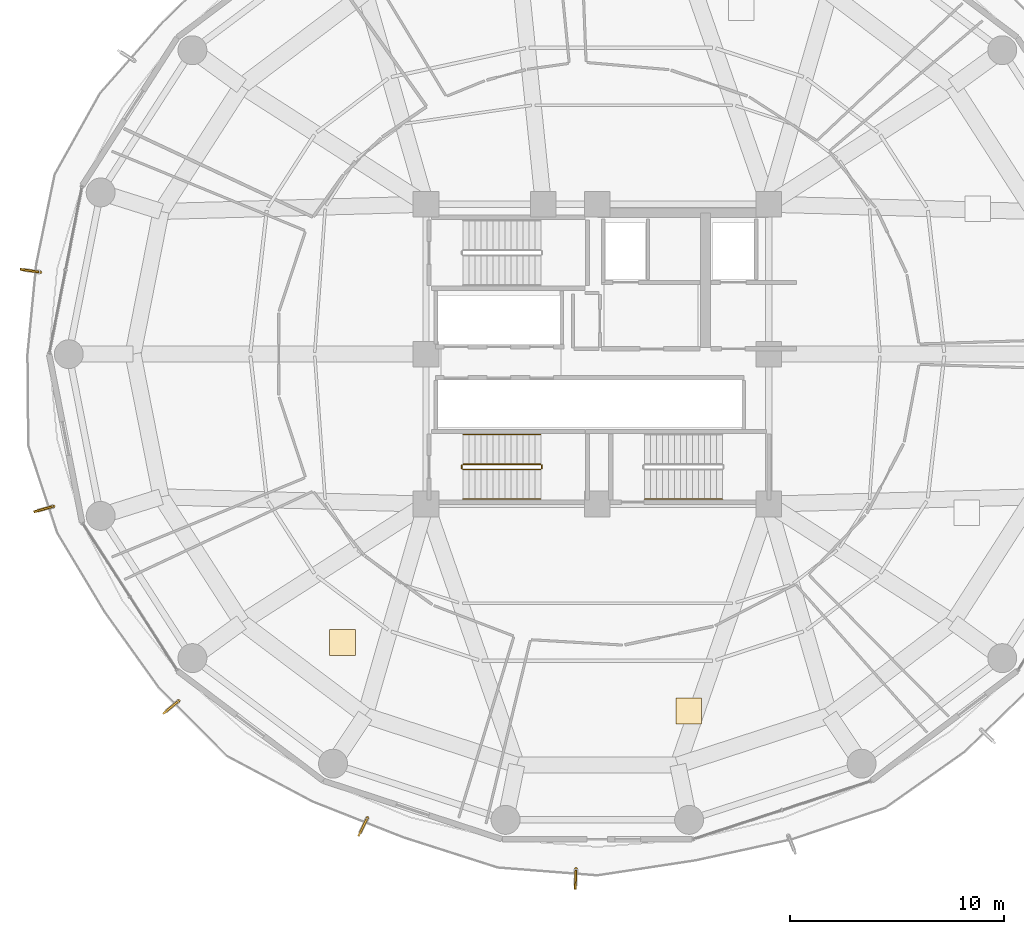
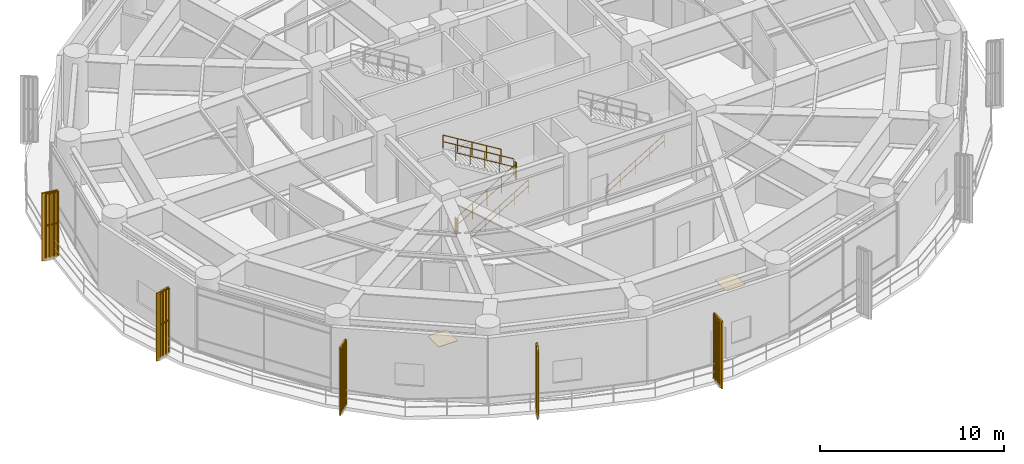
# One storey, part 31 of 34: 12 railings, 5 shading devices, 2 coverings.
"""IFC4 building model written with IfcOpenShell, lengths in metres."""

from ifc_helpers import new_model, si_unit, direction, frame, origin, origin_2d, place, context, subcontext, project, spatial, polyline, rectangle, outline, extrude, source, transform, mapped, material, layer, layer_set, type_object, element, save


model = new_model("IFC4")

# Units and contexts
model_context = context("Model", 3, precision=1e-05, world=origin(), true_north=direction((0.0, 1.0)))
body_context = subcontext(model_context, "Body", "Model", "MODEL_VIEW")
ifc_project = project(units=[si_unit("LENGTHUNIT", "METRE"), si_unit("AREAUNIT", "SQUARE_METRE"), si_unit("VOLUMEUNIT", "CUBIC_METRE"), si_unit("PLANEANGLEUNIT", "RADIAN"), si_unit("MASSUNIT", "GRAM", prefix="KILO")], contexts=[model_context])

# Site, building, storey
site_placement = place(None, origin())
site = spatial("IfcSite", under=ifc_project, at=site_placement, CompositionType="ELEMENT")
building_placement = place(site_placement, origin())
building = spatial("IfcBuilding", under=site, at=building_placement, Name="Kelanora Arch Commons", CompositionType="ELEMENT")
storey_placement = place(building_placement, frame((0.0, 0.0, 125.10009765625)))
storey = spatial("IfcBuildingStorey", under=building, at=storey_placement, Name="L32", CompositionType="ELEMENT", Elevation=125.10009765625)

# Railings
ifc_material_1 = material(Name="Anodised bronze vertical shading fin rib assembly")
railing_type_1 = type_object("IfcRailingType", Name="RAIL-FIN-BRZ", PredefinedType="BALUSTRADE", material=ifc_material_1)
railing_1_placement = place(storey_placement, frame((47.984130859375, 61.826416015625, -0.02001953125)))
element("IfcRailing", 1, at=railing_1_placement, inside=storey, type_object=railing_type_1, Name="Sweeping Bronze Vertical Fin Blade L32-06", PredefinedType="BALUSTRADE", context=body_context, shape_type="SweptSolid", body=[
    extrude(outline(polyline([(0.06982421875, 0.0), (0.034912109375, 0.060546875), (-0.034912109375, 0.060546875), (-0.06982421875, 0.0), (-0.034912109375, -0.060546875), (0.034912109375, -0.060546875), (0.06982421875, 0.0)])), frame((0.0, 0.0, 4.2900390625), z_axis=(-0.989359135365, 0.145493990495, 0.0), x_axis=(-0.145493990495, -0.989359135365, 0.0)), (0.0, 0.0, 1.0), 0.72998046875),
    extrude(outline(polyline([(0.06982421875, 0.0), (0.034912109375, 0.060546875), (-0.034912109375, 0.060546875), (-0.06982421875, 0.0), (-0.034912109375, -0.060546875), (0.034912109375, -0.060546875), (0.06982421875, 0.0)])), frame((0.0, 0.0, 2.18017578125), z_axis=(-0.989359135365, 0.145493990495, 0.0), x_axis=(-0.145493990495, -0.989359135365, 0.0)), (0.0, 0.0, 1.0), 0.72998046875),
    extrude(outline(polyline([(0.080078125, 0.0), (0.0400390625, 0.0693359375), (-0.0400390625, 0.0693359375), (-0.080078125, 0.0), (-0.0400390625, -0.0693359375), (0.0400390625, -0.0693359375), (0.080078125, 0.0)])), origin(), (0.0, 0.0, 1.0), 4.22021484375),
    extrude(outline(polyline([(0.080078125, 0.0), (0.0400390625, 0.0693359375), (-0.0400390625, 0.0693359375), (-0.080078125, 0.0), (-0.0400390625, -0.0693359375), (0.0400390625, -0.0693359375), (0.080078125, 0.0)])), frame((-0.24072265625, 0.035400390625, 0.0)), (0.0, 0.0, 1.0), 4.22021484375),
    extrude(outline(polyline([(0.080078125, 0.0), (0.0400390625, 0.0693359375), (-0.0400390625, 0.0693359375), (-0.080078125, 0.0), (-0.0400390625, -0.0693359375), (0.0400390625, -0.0693359375), (0.080078125, 0.0)])), frame((-0.4814453125, 0.07080078125, 0.0)), (0.0, 0.0, 1.0), 4.22021484375),
    extrude(outline(polyline([(0.080078125, 0.0), (0.0400390625, 0.0693359375), (-0.0400390625, 0.0693359375), (-0.080078125, 0.0), (-0.0400390625, -0.0693359375), (0.0400390625, -0.0693359375), (0.080078125, 0.0)])), frame((-0.72216796875, 0.106201171875, 0.0)), (0.0, 0.0, 1.0), 4.22021484375),
])
railing_2_placement = place(storey_placement, frame((48.603515625, 50.893310546875, -0.02001953125)))
element("IfcRailing", 2, at=railing_2_placement, inside=storey, type_object=railing_type_1, Name="Sweeping Bronze Vertical Fin Blade L32-07", PredefinedType="BALUSTRADE", context=body_context, shape_type="SweptSolid", body=[
    extrude(outline(polyline([(0.06982421875, 0.0), (0.034912109375, 0.060546875), (-0.034912109375, 0.060546875), (-0.06982421875, 0.0), (-0.034912109375, -0.060546875), (0.034912109375, -0.060546875), (0.06982421875, 0.0)])), frame((0.0, 0.0, 4.2900390625), z_axis=(-0.96306123365, -0.269282491521, 0.0), x_axis=(0.269282491521, -0.96306123365, 0.0)), (0.0, 0.0, 1.0), 0.729736328125),
    extrude(outline(polyline([(0.06982421875, 0.0), (0.034912109375, 0.060546875), (-0.034912109375, 0.060546875), (-0.06982421875, 0.0), (-0.034912109375, -0.060546875), (0.034912109375, -0.060546875), (0.06982421875, 0.0)])), frame((0.0, 0.0, 2.18017578125), z_axis=(-0.96306123365, -0.269282491521, 0.0), x_axis=(0.269282491521, -0.96306123365, 0.0)), (0.0, 0.0, 1.0), 0.729736328125),
    extrude(outline(polyline([(0.080078125, 0.0), (0.0400390625, 0.0693359375), (-0.0400390625, 0.0693359375), (-0.080078125, 0.0), (-0.0400390625, -0.0693359375), (0.0400390625, -0.0693359375), (0.080078125, 0.0)])), origin(), (0.0, 0.0, 1.0), 4.22021484375),
    extrude(outline(polyline([(0.080078125, 0.0), (0.0400390625, 0.0693359375), (-0.0400390625, 0.0693359375), (-0.080078125, 0.0), (-0.0400390625, -0.0693359375), (0.0400390625, -0.0693359375), (0.080078125, 0.0)])), frame((-0.234375, -0.0654296875, 0.0)), (0.0, 0.0, 1.0), 4.22021484375),
    extrude(outline(polyline([(0.080078125, 0.0), (0.0400390625, 0.0693359375), (-0.0400390625, 0.0693359375), (-0.080078125, 0.0), (-0.0400390625, -0.0693359375), (0.0400390625, -0.0693359375), (0.080078125, 0.0)])), frame((-0.468505859375, -0.131103515625, 0.0)), (0.0, 0.0, 1.0), 4.22021484375),
    extrude(outline(polyline([(0.080078125, 0.0), (0.0400390625, 0.0693359375), (-0.0400390625, 0.0693359375), (-0.080078125, 0.0), (-0.0400390625, -0.0693359375), (0.0400390625, -0.0693359375), (0.080078125, 0.0)])), frame((-0.702880859375, -0.196533203125, 0.0)), (0.0, 0.0, 1.0), 4.22021484375),
])
railing_3_placement = place(storey_placement, frame((54.45068359375, 41.808349609375, -0.02001953125)))
element("IfcRailing", 3, at=railing_3_placement, inside=storey, type_object=railing_type_1, Name="Sweeping Bronze Vertical Fin Blade L32-08", PredefinedType="BALUSTRADE", context=body_context, shape_type="SweptSolid", body=[
    extrude(outline(polyline([(0.06982421875, 0.0), (0.034912109375, 0.060546875), (-0.034912109375, 0.060546875), (-0.06982421875, 0.0), (-0.034912109375, -0.060546875), (0.034912109375, -0.060546875), (0.06982421875, 0.0)])), frame((0.0, 0.0, 4.2900390625), z_axis=(-0.770354678354, -0.637615612683, 0.0), x_axis=(0.637615612683, -0.770354678354, 0.0)), (0.0, 0.0, 1.0), 0.730224609375),
    extrude(outline(polyline([(0.06982421875, 0.0), (0.034912109375, 0.060546875), (-0.034912109375, 0.060546875), (-0.06982421875, 0.0), (-0.034912109375, -0.060546875), (0.034912109375, -0.060546875), (0.06982421875, 0.0)])), frame((0.0, 0.0, 2.18017578125), z_axis=(-0.770354678354, -0.637615612683, 0.0), x_axis=(0.637615612683, -0.770354678354, 0.0)), (0.0, 0.0, 1.0), 0.730224609375),
    extrude(outline(polyline([(0.080078125, 0.0), (0.0400390625, 0.0693359375), (-0.0400390625, 0.0693359375), (-0.080078125, 0.0), (-0.0400390625, -0.0693359375), (0.0400390625, -0.0693359375), (0.080078125, 0.0)])), origin(), (0.0, 0.0, 1.0), 4.22021484375),
    extrude(outline(polyline([(0.080078125, 0.0), (0.0400390625, 0.0693359375), (-0.0400390625, 0.0693359375), (-0.080078125, 0.0), (-0.0400390625, -0.0693359375), (0.0400390625, -0.0693359375), (0.080078125, 0.0)])), frame((-0.1875, -0.1552734375, 0.0)), (0.0, 0.0, 1.0), 4.22021484375),
    extrude(outline(polyline([(0.080078125, 0.0), (0.0400390625, 0.0693359375), (-0.0400390625, 0.0693359375), (-0.080078125, 0.0), (-0.0400390625, -0.0693359375), (0.0400390625, -0.0693359375), (0.080078125, 0.0)])), frame((-0.375, -0.310302734375, 0.0)), (0.0, 0.0, 1.0), 4.22021484375),
    extrude(outline(polyline([(0.080078125, 0.0), (0.0400390625, 0.0693359375), (-0.0400390625, 0.0693359375), (-0.080078125, 0.0), (-0.0400390625, -0.0693359375), (0.0400390625, -0.0693359375), (0.080078125, 0.0)])), frame((-0.5625, -0.465576171875, 0.0)), (0.0, 0.0, 1.0), 4.22021484375),
])
railing_4_placement = place(storey_placement, frame((63.264404296875, 36.342041015625, -0.02001953125)))
element("IfcRailing", 4, at=railing_4_placement, inside=storey, type_object=railing_type_1, Name="Sweeping Bronze Vertical Fin Blade L32-09", PredefinedType="BALUSTRADE", context=body_context, shape_type="SweptSolid", body=[
    extrude(outline(polyline([(0.06982421875, 0.0), (0.034912109375, 0.060546875), (-0.034912109375, 0.060546875), (-0.06982421875, 0.0), (-0.034912109375, -0.060546875), (0.034912109375, -0.060546875), (0.06982421875, 0.0)])), frame((0.0, 0.0, 4.2900390625), z_axis=(-0.444134116677, -0.895960315194, 0.0), x_axis=(0.895960315194, -0.444134116677, 0.0)), (0.0, 0.0, 1.0), 0.72998046875),
    extrude(outline(polyline([(0.06982421875, 0.0), (0.034912109375, 0.060546875), (-0.034912109375, 0.060546875), (-0.06982421875, 0.0), (-0.034912109375, -0.060546875), (0.034912109375, -0.060546875), (0.06982421875, 0.0)])), frame((0.0, 0.0, 2.18017578125), z_axis=(-0.444134116677, -0.895960315194, 0.0), x_axis=(0.895960315194, -0.444134116677, 0.0)), (0.0, 0.0, 1.0), 0.72998046875),
    extrude(outline(polyline([(0.080078125, 0.0), (0.0400390625, 0.0693359375), (-0.0400390625, 0.0693359375), (-0.080078125, 0.0), (-0.0400390625, -0.0693359375), (0.0400390625, -0.0693359375), (0.080078125, 0.0)])), origin(), (0.0, 0.0, 1.0), 4.22021484375),
    extrude(outline(polyline([(0.080078125, 0.0), (0.0400390625, 0.0693359375), (-0.0400390625, 0.0693359375), (-0.080078125, 0.0), (-0.0400390625, -0.0693359375), (0.0400390625, -0.0693359375), (0.080078125, 0.0)])), frame((-0.108154296875, -0.218017578125, 0.0)), (0.0, 0.0, 1.0), 4.22021484375),
    extrude(outline(polyline([(0.080078125, 0.0), (0.0400390625, 0.0693359375), (-0.0400390625, 0.0693359375), (-0.080078125, 0.0), (-0.0400390625, -0.0693359375), (0.0400390625, -0.0693359375), (0.080078125, 0.0)])), frame((-0.216064453125, -0.43603515625, 0.0)), (0.0, 0.0, 1.0), 4.22021484375),
    extrude(outline(polyline([(0.080078125, 0.0), (0.0400390625, 0.0693359375), (-0.0400390625, 0.0693359375), (-0.080078125, 0.0), (-0.0400390625, -0.0693359375), (0.0400390625, -0.0693359375), (0.080078125, 0.0)])), frame((-0.32421875, -0.654052734375, 0.0)), (0.0, 0.0, 1.0), 4.22021484375),
])
railing_5_placement = place(storey_placement, frame((73.006591796875, 33.968017578125, -0.02001953125)))
element("IfcRailing", 5, at=railing_5_placement, inside=storey, type_object=railing_type_1, Name="Sweeping Bronze Vertical Fin Blade L32-10", PredefinedType="BALUSTRADE", context=body_context, shape_type="SweptSolid", body=[
    extrude(outline(polyline([(0.06982421875, 0.0), (0.034912109375, 0.060546875), (-0.034912109375, 0.060546875), (-0.06982421875, 0.0), (-0.034912109375, -0.060546875), (0.034912109375, -0.060546875), (0.06982421875, 0.0)])), frame((0.0, 0.0, 4.2900390625), z_axis=(-0.041143571846, -0.999153244751, 0.0), x_axis=(0.999153244751, -0.041143571846, 0.0)), (0.0, 0.0, 1.0), 0.72998046875),
    extrude(outline(polyline([(0.06982421875, 0.0), (0.034912109375, 0.060546875), (-0.034912109375, 0.060546875), (-0.06982421875, 0.0), (-0.034912109375, -0.060546875), (0.034912109375, -0.060546875), (0.06982421875, 0.0)])), frame((0.0, 0.0, 2.18017578125), z_axis=(-0.041143571846, -0.999153244751, 0.0), x_axis=(0.999153244751, -0.041143571846, 0.0)), (0.0, 0.0, 1.0), 0.72998046875),
    extrude(outline(polyline([(0.080078125, 0.0), (0.0400390625, 0.0693359375), (-0.0400390625, 0.0693359375), (-0.080078125, 0.0), (-0.0400390625, -0.0693359375), (0.0400390625, -0.0693359375), (0.080078125, 0.0)])), origin(), (0.0, 0.0, 1.0), 4.22021484375),
    extrude(outline(polyline([(0.080078125, 0.0), (0.0400390625, 0.0693359375), (-0.0400390625, 0.0693359375), (-0.080078125, 0.0), (-0.0400390625, -0.0693359375), (0.0400390625, -0.0693359375), (0.080078125, 0.0)])), frame((-0.010009765625, -0.2431640625, 0.0)), (0.0, 0.0, 1.0), 4.22021484375),
    extrude(outline(polyline([(0.080078125, 0.0), (0.0400390625, 0.0693359375), (-0.0400390625, 0.0693359375), (-0.080078125, 0.0), (-0.0400390625, -0.0693359375), (0.0400390625, -0.0693359375), (0.080078125, 0.0)])), frame((-0.02001953125, -0.486083984375, 0.0)), (0.0, 0.0, 1.0), 4.22021484375),
    extrude(outline(polyline([(0.080078125, 0.0), (0.0400390625, 0.0693359375), (-0.0400390625, 0.0693359375), (-0.080078125, 0.0), (-0.0400390625, -0.0693359375), (0.0400390625, -0.0693359375), (0.080078125, 0.0)])), frame((-0.030029296875, -0.729248046875, 0.0)), (0.0, 0.0, 1.0), 4.22021484375),
])
ifc_material_2 = material(Name="Painted steel stair well guard", Category="steel")
railing_type_2 = type_object("IfcRailingType", Name="RAIL-STAIR-GRD", PredefinedType="GUARDRAIL", material=ifc_material_2)
railing_6_placement = place(storey_placement, frame((67.719970703125, 52.610107421875, 0.169921875)))
element("IfcRailing", 6, at=railing_6_placement, inside=storey, type_object=railing_type_2, Name="L32 ST-T3 stair guard 1", PredefinedType="GUARDRAIL", context=body_context, shape_type="SweptSolid", body=[
    extrude(outline(polyline([(0.02392578125, 0.0), (0.011962890625, 0.020751953125), (-0.011962890625, 0.020751953125), (-0.02392578125, 0.0), (-0.011962890625, -0.020751953125), (0.011962890625, -0.020751953125), (0.02392578125, 0.0)])), frame((0.0, 0.0, 1.076171875), z_axis=(0.854800231366, 0.0, 0.518957189425), x_axis=(0.0, 1.0, 0.0)), (0.0, 0.0, 1.0), 4.258544921875),
    extrude(outline(polyline([(0.02392578125, 0.0), (0.011962890625, 0.020751953125), (-0.011962890625, 0.020751953125), (-0.02392578125, 0.0), (-0.011962890625, -0.020751953125), (0.011962890625, -0.020751953125), (0.02392578125, 0.0)])), frame((0.0, 0.0, 0.550048828125), z_axis=(0.854800231366, 0.0, 0.518957189425), x_axis=(0.0, 1.0, 0.0)), (0.0, 0.0, 1.0), 4.258544921875),
    extrude(outline(polyline([(0.02099609375, 0.0), (0.010498046875, 0.01806640625), (-0.010498046875, 0.01806640625), (-0.02099609375, 0.0), (-0.010498046875, -0.01806640625), (0.010498046875, -0.01806640625), (0.02099609375, 0.0)])), origin(), (0.0, 0.0, 1.0), 1.052001953125),
    extrude(outline(polyline([(0.02099609375, 0.0), (0.010498046875, 0.01806640625), (-0.010498046875, 0.01806640625), (-0.02099609375, 0.0), (-0.010498046875, -0.01806640625), (0.010498046875, -0.01806640625), (0.02099609375, 0.0)])), frame((0.91015625, 0.0, 0.552490234375)), (0.0, 0.0, 1.0), 1.052001953125),
    extrude(outline(polyline([(0.02099609375, 0.0), (0.010498046875, 0.01806640625), (-0.010498046875, 0.01806640625), (-0.02099609375, 0.0), (-0.010498046875, -0.01806640625), (0.010498046875, -0.01806640625), (0.02099609375, 0.0)])), frame((1.820068359375, 0.0, 1.10498046875)), (0.0, 0.0, 1.0), 1.052001953125),
    extrude(outline(polyline([(0.02099609375, 0.0), (0.010498046875, 0.01806640625), (-0.010498046875, 0.01806640625), (-0.02099609375, 0.0), (-0.010498046875, -0.01806640625), (0.010498046875, -0.01806640625), (0.02099609375, 0.0)])), frame((2.72998046875, 0.0, 1.657470703125)), (0.0, 0.0, 1.0), 1.052001953125),
    extrude(outline(polyline([(0.02099609375, 0.0), (0.010498046875, 0.01806640625), (-0.010498046875, 0.01806640625), (-0.02099609375, 0.0), (-0.010498046875, -0.01806640625), (0.010498046875, -0.01806640625), (0.02099609375, 0.0)])), frame((3.64013671875, 0.0, 2.2099609375)), (0.0, 0.0, 1.0), 1.052001953125),
])
railing_7_placement = place(storey_placement, frame((71.409912109375, 52.659912109375, 2.3798828125)))
element("IfcRailing", 7, at=railing_7_placement, inside=storey, type_object=railing_type_2, Name="L32 ST-T3 stair guard 2", PredefinedType="GUARDRAIL", context=body_context, shape_type="SweptSolid", body=[
    extrude(outline(polyline([(0.02392578125, 0.0), (0.011962890625, 0.020751953125), (-0.011962890625, 0.020751953125), (-0.02392578125, 0.0), (-0.011962890625, -0.020751953125), (0.011962890625, -0.020751953125), (0.02392578125, 0.0)])), frame((0.0, 0.0, 1.076171875), z_axis=(0.0, 1.0, 0.0), x_axis=(-1.0, 0.0, 0.0)), (0.0, 0.0, 1.0), 0.150146484375),
    extrude(outline(polyline([(0.02392578125, 0.0), (0.011962890625, 0.020751953125), (-0.011962890625, 0.020751953125), (-0.02392578125, 0.0), (-0.011962890625, -0.020751953125), (0.011962890625, -0.020751953125), (0.02392578125, 0.0)])), frame((0.0, 0.0, 0.550048828125), z_axis=(0.0, 1.0, 0.0), x_axis=(-1.0, 0.0, 0.0)), (0.0, 0.0, 1.0), 0.150146484375),
    extrude(outline(polyline([(0.02099609375, 0.0), (0.010498046875, 0.01806640625), (-0.010498046875, 0.01806640625), (-0.02099609375, 0.0), (-0.010498046875, -0.01806640625), (0.010498046875, -0.01806640625), (0.02099609375, 0.0)])), origin(), (0.0, 0.0, 1.0), 1.052001953125),
    extrude(outline(polyline([(0.02099609375, 0.0), (0.010498046875, 0.01806640625), (-0.010498046875, 0.01806640625), (-0.02099609375, 0.0), (-0.010498046875, -0.01806640625), (0.010498046875, -0.01806640625), (0.02099609375, 0.0)])), frame((0.0, 0.150146484375, 0.0)), (0.0, 0.0, 1.0), 1.052001953125),
])
railing_8_placement = place(storey_placement, frame((71.360107421875, 52.860107421875, 2.5498046875)))
element("IfcRailing", 8, at=railing_8_placement, inside=storey, type_object=railing_type_2, Name="L32 ST-T3 stair guard 3", PredefinedType="GUARDRAIL", context=body_context, shape_type="SweptSolid", body=[
    extrude(outline(polyline([(0.02392578125, 0.0), (0.011962890625, 0.020751953125), (-0.011962890625, 0.020751953125), (-0.02392578125, 0.0), (-0.011962890625, -0.020751953125), (0.011962890625, -0.020751953125), (0.02392578125, 0.0)])), frame((0.0, 0.0, 1.076171875), z_axis=(-0.854774798942, 0.0, 0.518999078124), x_axis=(0.0, -1.0, 0.0)), (0.0, 0.0, 1.0), 4.258544921875),
    extrude(outline(polyline([(0.02392578125, 0.0), (0.011962890625, 0.020751953125), (-0.011962890625, 0.020751953125), (-0.02392578125, 0.0), (-0.011962890625, -0.020751953125), (0.011962890625, -0.020751953125), (0.02392578125, 0.0)])), frame((0.0, 0.0, 0.550048828125), z_axis=(-0.854774798942, 0.0, 0.518999078124), x_axis=(0.0, -1.0, 0.0)), (0.0, 0.0, 1.0), 4.258544921875),
    extrude(outline(polyline([(0.02099609375, 0.0), (0.010498046875, 0.01806640625), (-0.010498046875, 0.01806640625), (-0.02099609375, 0.0), (-0.010498046875, -0.01806640625), (0.010498046875, -0.01806640625), (0.02099609375, 0.0)])), origin(), (0.0, 0.0, 1.0), 1.052001953125),
    extrude(outline(polyline([(0.02099609375, 0.0), (0.010498046875, 0.01806640625), (-0.010498046875, 0.01806640625), (-0.02099609375, 0.0), (-0.010498046875, -0.01806640625), (0.010498046875, -0.01806640625), (0.02099609375, 0.0)])), frame((-0.91015625, 0.0, 0.552490234375)), (0.0, 0.0, 1.0), 1.052001953125),
    extrude(outline(polyline([(0.02099609375, 0.0), (0.010498046875, 0.01806640625), (-0.010498046875, 0.01806640625), (-0.02099609375, 0.0), (-0.010498046875, -0.01806640625), (0.010498046875, -0.01806640625), (0.02099609375, 0.0)])), frame((-1.820068359375, 0.0, 1.10498046875)), (0.0, 0.0, 1.0), 1.052001953125),
    extrude(outline(polyline([(0.02099609375, 0.0), (0.010498046875, 0.01806640625), (-0.010498046875, 0.01806640625), (-0.02099609375, 0.0), (-0.010498046875, -0.01806640625), (0.010498046875, -0.01806640625), (0.02099609375, 0.0)])), frame((-2.72998046875, 0.0, 1.65771484375)), (0.0, 0.0, 1.0), 1.052001953125),
    extrude(outline(polyline([(0.02099609375, 0.0), (0.010498046875, 0.01806640625), (-0.010498046875, 0.01806640625), (-0.02099609375, 0.0), (-0.010498046875, -0.01806640625), (0.010498046875, -0.01806640625), (0.02099609375, 0.0)])), frame((-3.64013671875, 0.0, 2.210205078125)), (0.0, 0.0, 1.0), 1.052001953125),
])
railing_9_placement = place(storey_placement, frame((67.669921875, 52.659912109375, 0.0)))
element("IfcRailing", 9, at=railing_9_placement, inside=storey, type_object=railing_type_2, Name="L32 ST-T3 stair guard 4", PredefinedType="GUARDRAIL", context=body_context, shape_type="SweptSolid", body=[
    extrude(outline(polyline([(0.02392578125, 0.0), (0.011962890625, 0.020751953125), (-0.011962890625, 0.020751953125), (-0.02392578125, 0.0), (-0.011962890625, -0.020751953125), (0.011962890625, -0.020751953125), (0.02392578125, 0.0)])), frame((0.0, 0.0, 1.076171875), z_axis=(0.0, 1.0, 0.0), x_axis=(-1.0, 0.0, 0.0)), (0.0, 0.0, 1.0), 0.150146484375),
    extrude(outline(polyline([(0.02392578125, 0.0), (0.011962890625, 0.020751953125), (-0.011962890625, 0.020751953125), (-0.02392578125, 0.0), (-0.011962890625, -0.020751953125), (0.011962890625, -0.020751953125), (0.02392578125, 0.0)])), frame((0.0, 0.0, 0.550048828125), z_axis=(0.0, 1.0, 0.0), x_axis=(-1.0, 0.0, 0.0)), (0.0, 0.0, 1.0), 0.150146484375),
    extrude(outline(polyline([(0.02099609375, 0.0), (0.010498046875, 0.01806640625), (-0.010498046875, 0.01806640625), (-0.02099609375, 0.0), (-0.010498046875, -0.01806640625), (0.010498046875, -0.01806640625), (0.02099609375, 0.0)])), origin(), (0.0, 0.0, 1.0), 1.052001953125),
    extrude(outline(polyline([(0.02099609375, 0.0), (0.010498046875, 0.01806640625), (-0.010498046875, 0.01806640625), (-0.02099609375, 0.0), (-0.010498046875, -0.01806640625), (0.010498046875, -0.01806640625), (0.02099609375, 0.0)])), frame((0.0, 0.150146484375, 0.0)), (0.0, 0.0, 1.0), 1.052001953125),
])
ifc_material_3 = material(Name="Brushed stainless steel stair handrail", Category="steel")
railing_type_3 = type_object("IfcRailingType", Name="RAIL-STAIR-HND", PredefinedType="HANDRAIL", material=ifc_material_3)
railing_10_placement = place(storey_placement, frame((76.199951171875, 51.22998046875, 0.169921875)))
element("IfcRailing", 10, at=railing_10_placement, inside=storey, type_object=railing_type_3, Name="L32 ST-T2 stair handrail 1", PredefinedType="HANDRAIL", context=body_context, shape_type="SweptSolid", body=[
    extrude(outline(polyline([(0.02392578125, 0.0), (0.011962890625, 0.020751953125), (-0.011962890625, 0.020751953125), (-0.02392578125, 0.0), (-0.011962890625, -0.020751953125), (0.011962890625, -0.020751953125), (0.02392578125, 0.0)])), frame((0.0, 0.0, 0.8759765625), z_axis=(0.854800231366, 0.0, 0.518957189425), x_axis=(0.0, 1.0, 0.0)), (0.0, 0.0, 1.0), 4.258544921875),
    extrude(outline(polyline([(0.02392578125, 0.0), (0.011962890625, 0.020751953125), (-0.011962890625, 0.020751953125), (-0.02392578125, 0.0), (-0.011962890625, -0.020751953125), (0.011962890625, -0.020751953125), (0.02392578125, 0.0)])), frame((0.0, 0.0, 0.449951171875), z_axis=(0.854800231366, 0.0, 0.518957189425), x_axis=(0.0, 1.0, 0.0)), (0.0, 0.0, 1.0), 4.258544921875),
    extrude(outline(polyline([(0.02099609375, 0.0), (0.010498046875, 0.01806640625), (-0.010498046875, 0.01806640625), (-0.02099609375, 0.0), (-0.010498046875, -0.01806640625), (0.010498046875, -0.01806640625), (0.02099609375, 0.0)])), origin(), (0.0, 0.0, 1.0), 0.851806640625),
    extrude(outline(polyline([(0.02099609375, 0.0), (0.010498046875, 0.01806640625), (-0.010498046875, 0.01806640625), (-0.02099609375, 0.0), (-0.010498046875, -0.01806640625), (0.010498046875, -0.01806640625), (0.02099609375, 0.0)])), frame((0.91015625, 0.0, 0.552490234375)), (0.0, 0.0, 1.0), 0.851806640625),
    extrude(outline(polyline([(0.02099609375, 0.0), (0.010498046875, 0.01806640625), (-0.010498046875, 0.01806640625), (-0.02099609375, 0.0), (-0.010498046875, -0.01806640625), (0.010498046875, -0.01806640625), (0.02099609375, 0.0)])), frame((1.820068359375, 0.0, 1.10498046875)), (0.0, 0.0, 1.0), 0.851806640625),
    extrude(outline(polyline([(0.02099609375, 0.0), (0.010498046875, 0.01806640625), (-0.010498046875, 0.01806640625), (-0.02099609375, 0.0), (-0.010498046875, -0.01806640625), (0.010498046875, -0.01806640625), (0.02099609375, 0.0)])), frame((2.72998046875, 0.0, 1.657470703125)), (0.0, 0.0, 1.0), 0.851806640625),
    extrude(outline(polyline([(0.02099609375, 0.0), (0.010498046875, 0.01806640625), (-0.010498046875, 0.01806640625), (-0.02099609375, 0.0), (-0.010498046875, -0.01806640625), (0.010498046875, -0.01806640625), (0.02099609375, 0.0)])), frame((3.64013671875, 0.0, 2.2099609375)), (0.0, 0.0, 1.0), 0.851806640625),
])
railing_11_placement = place(storey_placement, frame((67.719970703125, 51.22998046875, 0.169921875)))
element("IfcRailing", 11, at=railing_11_placement, inside=storey, type_object=railing_type_3, Name="L32 ST-T3 stair handrail 1", PredefinedType="HANDRAIL", context=body_context, shape_type="SweptSolid", body=[
    extrude(outline(polyline([(0.02392578125, 0.0), (0.011962890625, 0.020751953125), (-0.011962890625, 0.020751953125), (-0.02392578125, 0.0), (-0.011962890625, -0.020751953125), (0.011962890625, -0.020751953125), (0.02392578125, 0.0)])), frame((0.0, 0.0, 0.8759765625), z_axis=(0.854800231366, 0.0, 0.518957189425), x_axis=(0.0, 1.0, 0.0)), (0.0, 0.0, 1.0), 4.258544921875),
    extrude(outline(polyline([(0.02392578125, 0.0), (0.011962890625, 0.020751953125), (-0.011962890625, 0.020751953125), (-0.02392578125, 0.0), (-0.011962890625, -0.020751953125), (0.011962890625, -0.020751953125), (0.02392578125, 0.0)])), frame((0.0, 0.0, 0.449951171875), z_axis=(0.854800231366, 0.0, 0.518957189425), x_axis=(0.0, 1.0, 0.0)), (0.0, 0.0, 1.0), 4.258544921875),
    extrude(outline(polyline([(0.02099609375, 0.0), (0.010498046875, 0.01806640625), (-0.010498046875, 0.01806640625), (-0.02099609375, 0.0), (-0.010498046875, -0.01806640625), (0.010498046875, -0.01806640625), (0.02099609375, 0.0)])), origin(), (0.0, 0.0, 1.0), 0.851806640625),
    extrude(outline(polyline([(0.02099609375, 0.0), (0.010498046875, 0.01806640625), (-0.010498046875, 0.01806640625), (-0.02099609375, 0.0), (-0.010498046875, -0.01806640625), (0.010498046875, -0.01806640625), (0.02099609375, 0.0)])), frame((0.91015625, 0.0, 0.552490234375)), (0.0, 0.0, 1.0), 0.851806640625),
    extrude(outline(polyline([(0.02099609375, 0.0), (0.010498046875, 0.01806640625), (-0.010498046875, 0.01806640625), (-0.02099609375, 0.0), (-0.010498046875, -0.01806640625), (0.010498046875, -0.01806640625), (0.02099609375, 0.0)])), frame((1.820068359375, 0.0, 1.10498046875)), (0.0, 0.0, 1.0), 0.851806640625),
    extrude(outline(polyline([(0.02099609375, 0.0), (0.010498046875, 0.01806640625), (-0.010498046875, 0.01806640625), (-0.02099609375, 0.0), (-0.010498046875, -0.01806640625), (0.010498046875, -0.01806640625), (0.02099609375, 0.0)])), frame((2.72998046875, 0.0, 1.657470703125)), (0.0, 0.0, 1.0), 0.851806640625),
    extrude(outline(polyline([(0.02099609375, 0.0), (0.010498046875, 0.01806640625), (-0.010498046875, 0.01806640625), (-0.02099609375, 0.0), (-0.010498046875, -0.01806640625), (0.010498046875, -0.01806640625), (0.02099609375, 0.0)])), frame((3.64013671875, 0.0, 2.2099609375)), (0.0, 0.0, 1.0), 0.851806640625),
])
railing_12_placement = place(storey_placement, frame((71.360107421875, 54.239990234375, 2.5498046875)))
element("IfcRailing", 12, at=railing_12_placement, inside=storey, type_object=railing_type_3, Name="L32 ST-T3 stair handrail 2", PredefinedType="HANDRAIL", context=body_context, shape_type="SweptSolid", body=[
    extrude(outline(polyline([(0.02392578125, 0.0), (0.011962890625, 0.020751953125), (-0.011962890625, 0.020751953125), (-0.02392578125, 0.0), (-0.011962890625, -0.020751953125), (0.011962890625, -0.020751953125), (0.02392578125, 0.0)])), frame((0.0, 0.0, 0.8759765625), z_axis=(-0.854774798942, 0.0, 0.518999078124), x_axis=(0.0, -1.0, 0.0)), (0.0, 0.0, 1.0), 4.258544921875),
    extrude(outline(polyline([(0.02392578125, 0.0), (0.011962890625, 0.020751953125), (-0.011962890625, 0.020751953125), (-0.02392578125, 0.0), (-0.011962890625, -0.020751953125), (0.011962890625, -0.020751953125), (0.02392578125, 0.0)])), frame((0.0, 0.0, 0.449951171875), z_axis=(-0.854774798942, 0.0, 0.518999078124), x_axis=(0.0, -1.0, 0.0)), (0.0, 0.0, 1.0), 4.258544921875),
    extrude(outline(polyline([(0.02099609375, 0.0), (0.010498046875, 0.01806640625), (-0.010498046875, 0.01806640625), (-0.02099609375, 0.0), (-0.010498046875, -0.01806640625), (0.010498046875, -0.01806640625), (0.02099609375, 0.0)])), origin(), (0.0, 0.0, 1.0), 0.851806640625),
    extrude(outline(polyline([(0.02099609375, 0.0), (0.010498046875, 0.01806640625), (-0.010498046875, 0.01806640625), (-0.02099609375, 0.0), (-0.010498046875, -0.01806640625), (0.010498046875, -0.01806640625), (0.02099609375, 0.0)])), frame((-0.91015625, 0.0, 0.552490234375)), (0.0, 0.0, 1.0), 0.851806640625),
    extrude(outline(polyline([(0.02099609375, 0.0), (0.010498046875, 0.01806640625), (-0.010498046875, 0.01806640625), (-0.02099609375, 0.0), (-0.010498046875, -0.01806640625), (0.010498046875, -0.01806640625), (0.02099609375, 0.0)])), frame((-1.820068359375, 0.0, 1.10498046875)), (0.0, 0.0, 1.0), 0.851806640625),
    extrude(outline(polyline([(0.02099609375, 0.0), (0.010498046875, 0.01806640625), (-0.010498046875, 0.01806640625), (-0.02099609375, 0.0), (-0.010498046875, -0.01806640625), (0.010498046875, -0.01806640625), (0.02099609375, 0.0)])), frame((-2.72998046875, 0.0, 1.65771484375)), (0.0, 0.0, 1.0), 0.851806640625),
    extrude(outline(polyline([(0.02099609375, 0.0), (0.010498046875, 0.01806640625), (-0.010498046875, 0.01806640625), (-0.02099609375, 0.0), (-0.010498046875, -0.01806640625), (0.010498046875, -0.01806640625), (0.02099609375, 0.0)])), frame((-3.64013671875, 0.0, 2.210205078125)), (0.0, 0.0, 1.0), 0.851806640625),
])

# Shading devices
ifc_material_4 = material(Name="Terracotta ceramic-clad extruded aluminium fin", Category="masonry")
shading_device_type = type_object("IfcShadingDeviceType", Name="SHD-FIN-FLARE", PredefinedType="USERDEFINED", material=ifc_material_4)
shared_shape_1 = source(origin(), body_context, "Body", "SweptSolid", [
    extrude(rectangle(XDim=0.8798828125, YDim=0.090087890625, at=origin_2d()), origin(), (0.0, 0.0, 1.0), 4.47998046875),
])
for number, where, z_axis, x_axis, name in (
    (13, (47.484619140625, 61.89990234375, -0.14013671875), (0.0, 0.0, 1.0), (-0.989348686247, 0.145565026779, 0.0), "Sweeping Terracotta Fin L32-06"),
    (14, (48.1171875, 50.75732421875, -0.14013671875), (0.0, 0.0, 1.0), (-0.963021628687, -0.26942409447, 0.0), "Sweeping Terracotta Fin L32-07"),
    (15, (54.0615234375, 41.486083984375, -0.14013671875), (0.0, 0.0, 1.0), (-0.77017938275, -0.637827342144, 0.0), "Sweeping Terracotta Fin L32-08"),
    (16, (63.040283203125, 35.8896484375, -0.14013671875), (0.0, 0.0, 1.0), (-0.444166124676, -0.895944447882, 0.0), "Sweeping Terracotta Fin L32-09"),
    (17, (72.98583984375, 33.46337890625, -0.14013671875), (0.0, 0.0, 1.0), (-0.041352508522, -0.999144619181, 0.0), "Sweeping Terracotta Fin L32-10"),
):
    element("IfcShadingDevice", number, at=place(storey_placement, frame(where, z_axis=z_axis, x_axis=x_axis)), inside=storey, type_object=shading_device_type, Name=name, ObjectType="FIN", PredefinedType="USERDEFINED", context=body_context, shape_type="MappedRepresentation", body=[
        mapped(shared_shape_1, transform((0.0, 0.0, 0.0), scale=1.0)),
    ])

# Coverings
ifc_material_5 = material(Name="Polished local granite terrazzo flooring", Category="masonry")
ifc_layer = layer(ifc_material_5, 0.030029296875)
ifc_layer_set = layer_set([ifc_layer], Name="Polished local granite terrazzo flooring")
covering_type = type_object("IfcCoveringType", Name="COV-FLR-TER", PredefinedType="FLOORING", material=ifc_layer_set)
shared_shape_2 = source(origin(), body_context, "Body", "SweptSolid", [
    extrude(rectangle(XDim=1.199951171875, YDim=1.199951171875, at=origin_2d()), origin(), (0.0, 0.0, 1.0), 0.030029296875),
])
for number, where, z_axis, x_axis, name in (
    (18, (62.100341796875, 44.532958984375, 0.0), (0.0, 0.0, 1.0), (1.0, 0.0, 0.0), "Communal Monsoon Tea Lounge L32-A Terrazzo Finish"),
    (19, (78.27294921875, 41.33837890625, 0.0), (0.0, 0.0, 1.0), (1.0, 0.0, 0.0), "Communal Student Shared Cluster Kitchen L32-B Terrazzo Finish"),
):
    element("IfcCovering", number, at=place(storey_placement, frame(where, z_axis=z_axis, x_axis=x_axis)), inside=storey, type_object=covering_type, Name=name, PredefinedType="FLOORING", context=body_context, shape_type="MappedRepresentation", body=[
        mapped(shared_shape_2, transform((0.0, 0.0, 0.0), scale=1.0)),
    ])

save(model, "model.ifc")
